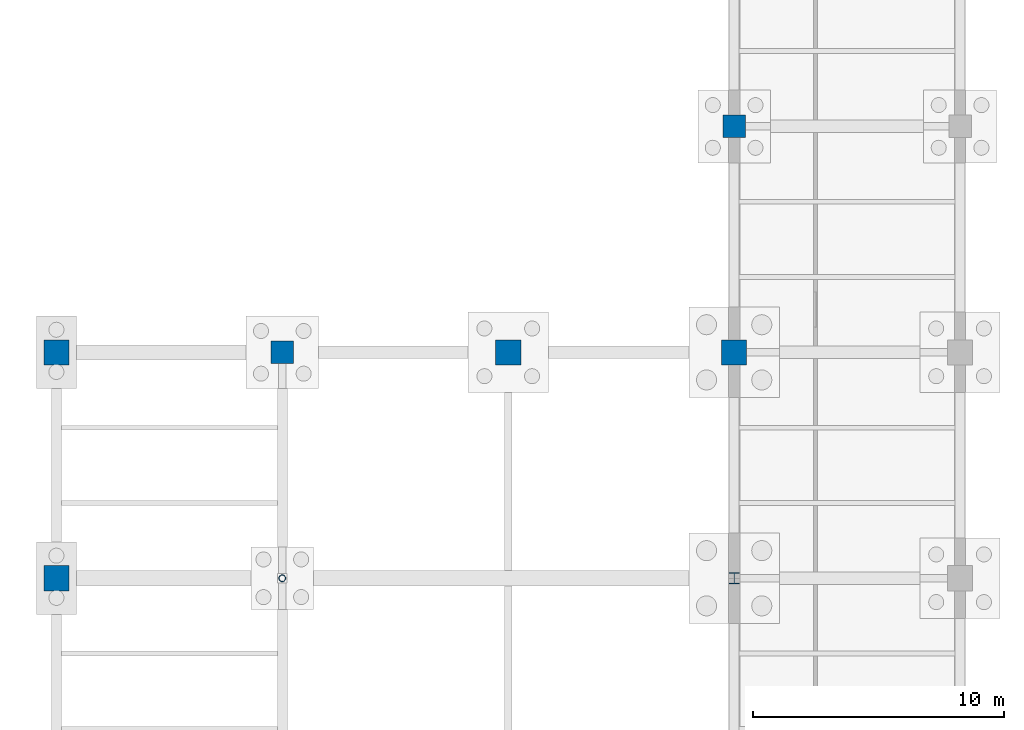
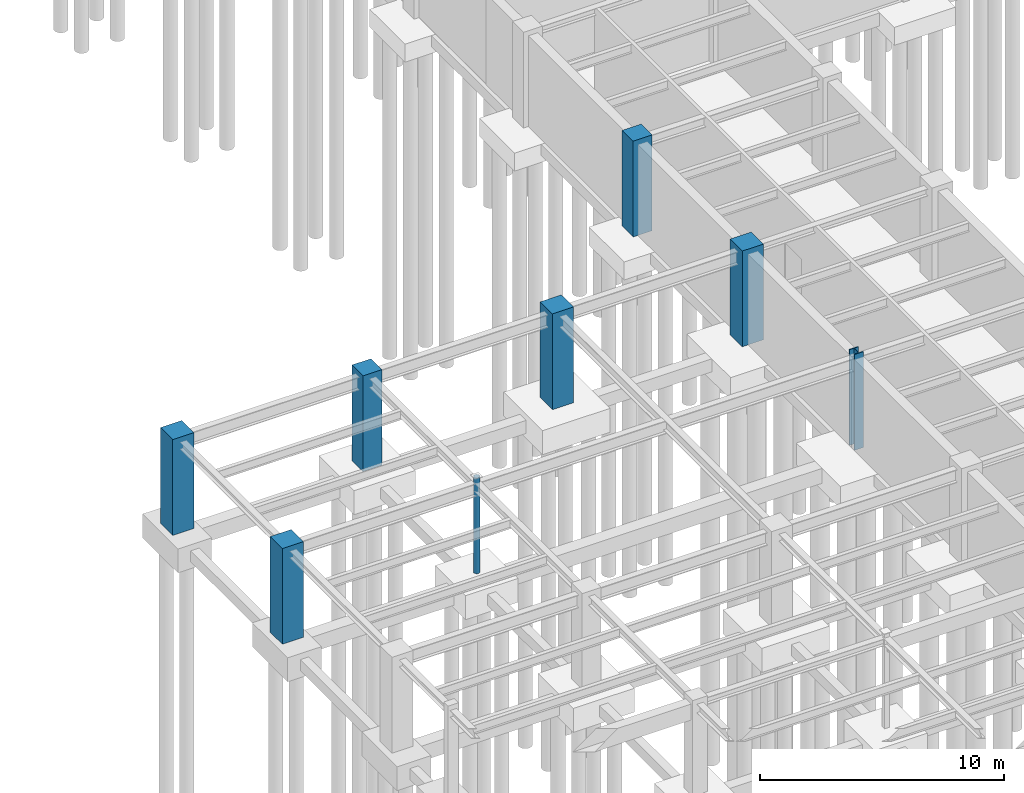
# One storey, part 13 of 49: 8 columns.
"""IFC4 building model written with IfcOpenShell, lengths in metres."""

from ifc_helpers import new_model, si_unit, direction, frame, origin, origin_2d, place, context, subcontext, project, spatial, rectangle, hollow_circle, i_section, extrude, material, material_profile, profile_set, type_object, element, save


model = new_model("IFC4")

# Units and contexts
model_context = context("Model", 3, precision=1e-05, world=origin(), true_north=direction((0.0, 1.0)))
body_context = subcontext(model_context, "Body", "Model", "MODEL_VIEW")
ifc_project = project(units=[si_unit("LENGTHUNIT", "METRE"), si_unit("AREAUNIT", "SQUARE_METRE"), si_unit("VOLUMEUNIT", "CUBIC_METRE"), si_unit("PLANEANGLEUNIT", "RADIAN"), si_unit("MASSUNIT", "GRAM", prefix="KILO")], contexts=[model_context])

# Site, building, storey
site_placement = place(None, origin())
site = spatial("IfcSite", under=ifc_project, at=site_placement, CompositionType="ELEMENT")
building_placement = place(site_placement, origin())
building = spatial("IfcBuilding", under=site, at=building_placement, Name="Lykobir Media Centre", CompositionType="ELEMENT")
storey_placement = place(building_placement, frame((0.0, 0.0, -4.800048828125)))
storey = spatial("IfcBuildingStorey", under=building, at=storey_placement, Name="B1", CompositionType="ELEMENT", Elevation=-4.800048828125)

# Columns
ifc_material_1 = material(Name="Concrete C40/50", Category="concrete")
ifc_material_profile_1 = material_profile(ifc_material_1, rectangle(XDim=1.0, YDim=1.0, at=origin_2d()), Name="RC 1000x1000")
ifc_profile_set_1 = profile_set([ifc_material_profile_1], Name="Concrete C40/50")
column_type_1 = type_object("IfcColumnType", Name="RC-C1000", PredefinedType="COLUMN", material=ifc_profile_set_1)
for number, where, z_axis, x_axis, name in (
    (1, (18.0, 45.0, 0.0), (0.0, 0.0, 1.0), (1.0, 0.0, 0.0), "Column COL-B1-0180-0450"),
    (2, (27.0, 45.0, 0.0), (0.0, 0.0, 1.0), (1.0, 0.0, 0.0), "Column COL-B1-0270-0450"),
):
    element("IfcColumn", number, at=place(storey_placement, frame(where, z_axis=z_axis, x_axis=x_axis)), inside=storey, type_object=column_type_1, Name=name, PredefinedType="COLUMN", context=body_context, shape_type="SweptSolid", body=[
        extrude(rectangle(XDim=1.0, YDim=1.0, at=origin_2d()), origin(), (0.0, 0.0, 1.0), 4.800048828125),
    ])
ifc_material_profile_2 = material_profile(ifc_material_1, rectangle(XDim=1.0, YDim=1.0, at=origin_2d()), Name="RC 1000x1000")
ifc_profile_set_2 = profile_set([ifc_material_profile_2], Name="Concrete C40/50")
column_type_2 = type_object("IfcColumnType", Name="RC-C1000-E", PredefinedType="COLUMN", material=ifc_profile_set_2)
for number, where, z_axis, x_axis, name in (
    (3, (0.0, 36.0, 0.0), (0.0, 0.0, 1.0), (1.0, 0.0, 0.0), "Column COL-B1-0000-0360"),
    (4, (0.0, 45.0, 0.0), (0.0, 0.0, 1.0), (1.0, 0.0, 0.0), "Column COL-B1-0000-0450"),
):
    element("IfcColumn", number, at=place(storey_placement, frame(where, z_axis=z_axis, x_axis=x_axis)), inside=storey, type_object=column_type_2, Name=name, PredefinedType="COLUMN", context=body_context, shape_type="SweptSolid", body=[
        extrude(rectangle(XDim=1.0, YDim=1.0, at=origin_2d()), origin(), (0.0, 0.0, 1.0), 4.800048828125),
    ])
ifc_material_profile_3 = material_profile(ifc_material_1, rectangle(XDim=0.89990234375, YDim=0.89990234375, at=origin_2d()), Name="RC 900x900")
ifc_profile_set_3 = profile_set([ifc_material_profile_3], Name="Concrete C40/50")
column_type_3 = type_object("IfcColumnType", Name="RC-C900", PredefinedType="COLUMN", material=ifc_profile_set_3)
for number, where, z_axis, x_axis, name in (
    (5, (9.0, 45.0, 0.0), (0.0, 0.0, 1.0), (1.0, 0.0, 0.0), "Column COL-B1-0090-0450"),
    (6, (27.0, 54.0, 0.0), (0.0, 0.0, 1.0), (1.0, 0.0, 0.0), "Column COL-B1-0270-0540"),
):
    element("IfcColumn", number, at=place(storey_placement, frame(where, z_axis=z_axis, x_axis=x_axis)), inside=storey, type_object=column_type_3, Name=name, PredefinedType="COLUMN", context=body_context, shape_type="SweptSolid", body=[
        extrude(rectangle(XDim=0.89990234375, YDim=0.89990234375, at=origin_2d()), origin(), (0.0, 0.0, 1.0), 4.800048828125),
    ])
ifc_material_2 = material(Name="Steel S355", Category="steel")
ifc_material_profile_4 = material_profile(ifc_material_2, hollow_circle(Radius=0.136474609375, WallThickness=0.012451171875, at=origin_2d()), Name="CHS 273.0x12.5")
ifc_profile_set_4 = profile_set([ifc_material_profile_4], Name="Steel S355")
column_type_4 = type_object("IfcColumnType", Name="SC-CHS273", PredefinedType="COLUMN", material=ifc_profile_set_4)
column_1_placement = place(storey_placement, frame((9.0, 36.0, 0.0), z_axis=(0.0, 0.0, 1.0), x_axis=(1.0, 0.0, 0.0)))
element("IfcColumn", 7, at=column_1_placement, inside=storey, type_object=column_type_4, Name="Column COL-B1-0090-0360", PredefinedType="COLUMN", context=body_context, shape_type="SweptSolid", body=[
    extrude(hollow_circle(Radius=0.136474609375, WallThickness=0.012451171875, at=origin_2d()), origin(), (0.0, 0.0, 1.0), 4.800048828125),
])
ifc_material_profile_5 = material_profile(ifc_material_2, i_section(OverallWidth=0.416015625, OverallDepth=0.446044921875, WebThickness=0.02490234375, FlangeThickness=0.0400390625, at=origin_2d()), Name="HD 400x509")
ifc_profile_set_5 = profile_set([ifc_material_profile_5], Name="Steel S355")
column_type_5 = type_object("IfcColumnType", Name="SC-HD509", PredefinedType="COLUMN", material=ifc_profile_set_5)
column_2_placement = place(storey_placement, frame((27.0, 36.0, 0.0), z_axis=(0.0, 0.0, 1.0), x_axis=(1.0, 0.0, 0.0)))
element("IfcColumn", 8, at=column_2_placement, inside=storey, type_object=column_type_5, Name="Column COL-B1-0270-0360", PredefinedType="COLUMN", context=body_context, shape_type="SweptSolid", body=[
    extrude(i_section(OverallWidth=0.416015625, OverallDepth=0.446044921875, WebThickness=0.02490234375, FlangeThickness=0.0400390625, at=origin_2d()), origin(), (0.0, 0.0, 1.0), 4.800048828125),
])

save(model, "model.ifc")
